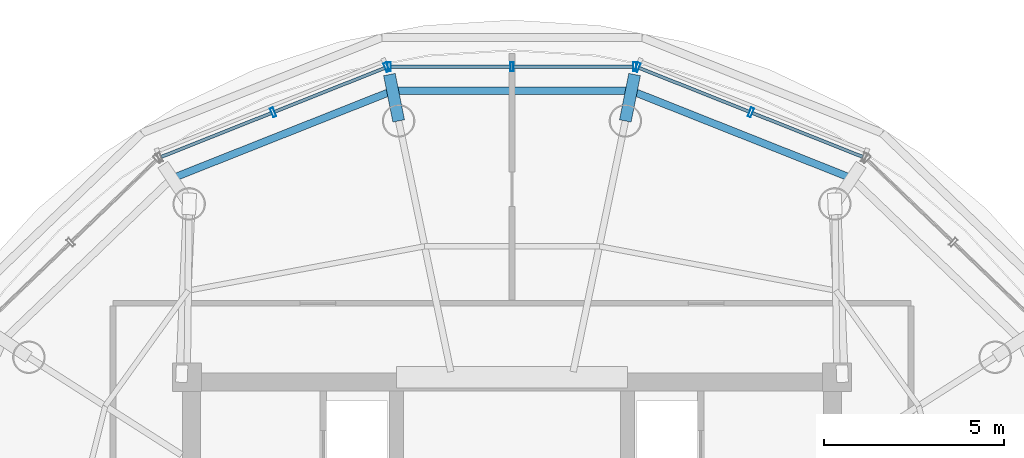
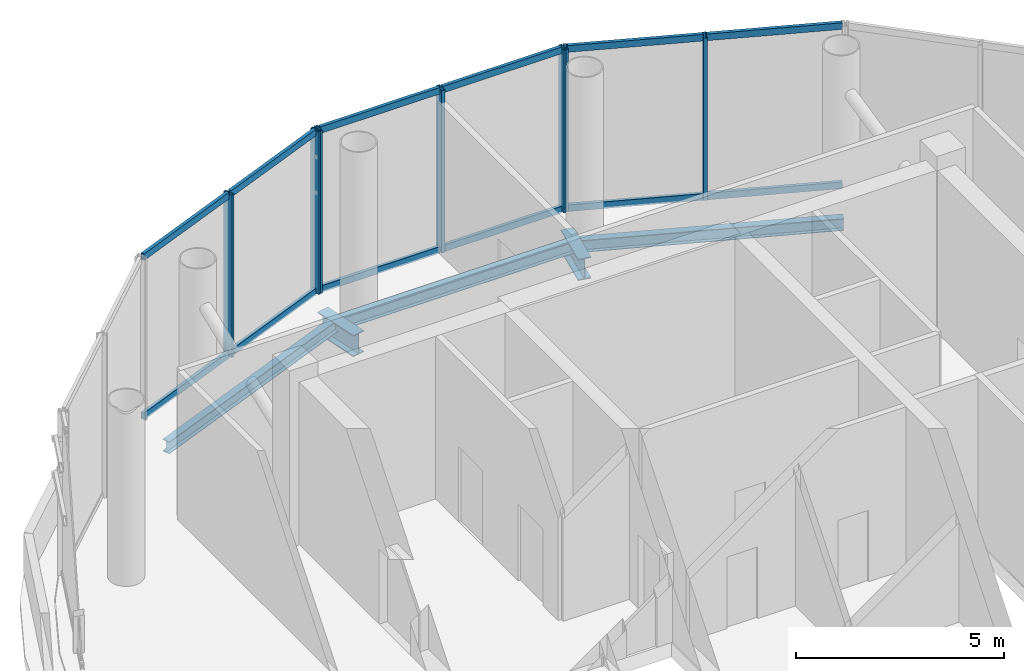
# One storey, part 9 of 15: 19 members, 5 beams, 3 elements without a shape of their own.
"""IFC4 building model written with IfcOpenShell, lengths in metres."""

from ifc_helpers import new_model, si_unit, direction, frame, origin, origin_2d, place, context, subcontext, project, spatial, hollow_rectangle, i_section, extrude, source, transform, mapped, material, material_profile, profile_set, type_object, element, aggregate, save


model = new_model("IFC4")

# Units and contexts
model_context = context("Model", 3, precision=1e-05, world=origin(), true_north=direction((-0.2419218956, 0.970295726276)))
body_context = subcontext(model_context, "Body", "Model", "MODEL_VIEW")
ifc_project = project(units=[si_unit("LENGTHUNIT", "METRE"), si_unit("AREAUNIT", "SQUARE_METRE"), si_unit("VOLUMEUNIT", "CUBIC_METRE"), si_unit("PLANEANGLEUNIT", "RADIAN"), si_unit("MASSUNIT", "GRAM", prefix="KILO")], contexts=[model_context])

# Site, building, storey
site_placement = place(None, origin())
site = spatial("IfcSite", under=ifc_project, at=site_placement, CompositionType="ELEMENT")
building_placement = place(site_placement, origin())
building = spatial("IfcBuilding", under=site, at=building_placement, Name="Cobrevalo Terracotta Tower", CompositionType="ELEMENT")
storey_placement = place(building_placement, frame((0.0, 0.0, 306.10009765625)))
storey = spatial("IfcBuildingStorey", under=building, at=storey_placement, Name="L80", CompositionType="ELEMENT", Elevation=306.10009765625)

# Beams
ifc_material_1 = material(Name="Steel S355", Category="steel")
ifc_material_profile_1 = material_profile(ifc_material_1, i_section(OverallWidth=0.3291015625, OverallDepth=0.635009765625, WebThickness=0.017822265625, FlangeThickness=0.031005859375, at=origin_2d()), Name="W 610x241")
ifc_profile_set_1 = profile_set([ifc_material_profile_1], Name="Steel S355")
beam_type_1 = type_object("IfcBeamType", Name="Structural Beam W 610x241 (Steel S355)", PredefinedType="BEAM", material=ifc_profile_set_1)
for number, where, z_axis, x_axis, name in (
    (1, (41.396484375, 43.18896484375, -0.737548828125), (-0.195112588095, -0.980780851142, 0.0), (0.980780851142, -0.195112588095, 0.0), "L80 setback step-link girder 04"),
    (2, (34.603515625, 43.18896484375, -0.737548828125), (0.195112588095, -0.980780851142, 0.0), (0.980780851142, 0.195112588095, 0.0), "L80 setback step-link girder 05"),
):
    element("IfcBeam", number, at=place(storey_placement, frame(where, z_axis=z_axis, x_axis=x_axis)), inside=storey, type_object=beam_type_1, Name=name, PredefinedType="BEAM", context=body_context, shape_type="SweptSolid", body=[
        extrude(i_section(OverallWidth=0.3291015625, OverallDepth=0.635009765625, WebThickness=0.017822265625, FlangeThickness=0.031005859375, at=origin_2d()), origin(), (0.0, 0.0, 1.0), 1.31005859375),
    ])
ifc_material_profile_2 = material_profile(ifc_material_1, i_section(OverallWidth=0.205078125, OverallDepth=0.35400390625, WebThickness=0.009521484375, FlangeThickness=0.016845703125, at=origin_2d()), Name="W 360x79")
ifc_profile_set_2 = profile_set([ifc_material_profile_2], Name="Steel S355")
beam_type_2 = type_object("IfcBeamType", Name="Structural Spandrel W 360x79 (Steel S355)", PredefinedType="SPANDREL", material=ifc_profile_set_2)
beam_1_placement = place(storey_placement, frame((47.4169921875, 40.311279296875, -0.59716796875), z_axis=(-0.929393272516, 0.369090971173, 0.0), x_axis=(-0.369090971173, -0.929393272516, 0.0)))
element("IfcBeam", 3, at=beam_1_placement, inside=storey, type_object=beam_type_2, Name="L80 perimeter ring spandrel 03", PredefinedType="SPANDREL", context=body_context, shape_type="SweptSolid", body=[
    extrude(i_section(OverallWidth=0.205078125, OverallDepth=0.35400390625, WebThickness=0.009521484375, FlangeThickness=0.016845703125, at=origin_2d()), origin(), (0.0, 0.0, 1.0), 6.57421875),
])
beam_2_placement = place(storey_placement, frame((41.306884765625, 42.73779296875, -0.59716796875), z_axis=(-1.0, 0.0, 0.0), x_axis=(0.0, -1.0, 0.0)))
element("IfcBeam", 4, at=beam_2_placement, inside=storey, type_object=beam_type_2, Name="L80 perimeter ring spandrel 04", PredefinedType="SPANDREL", context=body_context, shape_type="SweptSolid", body=[
    extrude(i_section(OverallWidth=0.205078125, OverallDepth=0.35400390625, WebThickness=0.009521484375, FlangeThickness=0.016845703125, at=origin_2d()), origin(), (0.0, 0.0, 1.0), 6.61376953125),
])
beam_3_placement = place(storey_placement, frame((34.693115234375, 42.73779296875, -0.59716796875), z_axis=(-0.929393272516, -0.369090971173, 0.0), x_axis=(0.369090971173, -0.929393272516, 0.0)))
element("IfcBeam", 5, at=beam_3_placement, inside=storey, type_object=beam_type_2, Name="L80 perimeter ring spandrel 05", PredefinedType="SPANDREL", context=body_context, shape_type="SweptSolid", body=[
    extrude(i_section(OverallWidth=0.205078125, OverallDepth=0.35400390625, WebThickness=0.009521484375, FlangeThickness=0.016845703125, at=origin_2d()), origin(), (0.0, 0.0, 1.0), 6.57421875),
])

# Curtain wall, members
ifc_material_2 = material(Name="Anodized aluminium", Category="aluminium")
curtain_wall_type = type_object("IfcCurtainWallType", Name="Faceted glass-point crown structural glazing system CW-CR", PredefinedType="NOTDEFINED", material=ifc_material_2)
curtain_wall_1_placement = place(storey_placement, origin())
curtain_wall_1 = element("IfcCurtainWall", 6, at=curtain_wall_1_placement, inside=storey, type_object=curtain_wall_type, Name="L80 curtain wall CW-CRN-L80-S03", PredefinedType="NOTDEFINED")
ifc_material_profile_3 = material_profile(ifc_material_2, hollow_rectangle(XDim=0.090087890625, YDim=0.260009765625, WallThickness=0.006103515625, at=origin_2d()), Name="CWM 90x260")
ifc_profile_set_3 = profile_set([ifc_material_profile_3], Name="Anodized aluminium")
member_type_1 = type_object("IfcMemberType", Name="Crown structural glass mullion 90x260", PredefinedType="MULLION", material=ifc_profile_set_3)
shared_shape_1 = source(origin(), body_context, "Body", "SweptSolid", [
    extrude(hollow_rectangle(XDim=0.090087890625, YDim=0.260009765625, WallThickness=0.006103515625, at=origin_2d()), origin(), (0.0, 0.0, 1.0), 4.77978515625),
])
member_1_placement = place(storey_placement, frame((44.6171875, 42.140625, 0.0), z_axis=(0.0, 0.0, 1.0), x_axis=(-0.929190639756, 0.36960080491, 0.0)))
member_1 = element("IfcMember", 7, at=member_1_placement, type_object=member_type_1, Name="CW-CRN-L80-S03 vertical mullion 02", PredefinedType="MULLION", context=body_context, shape_type="MappedRepresentation", body=[
    mapped(shared_shape_1, transform((0.0, 0.0, 0.0), scale=1.0)),
])
member_2_placement = place(storey_placement, frame((41.4765625, 43.389892578125, 0.0), z_axis=(0.0, 0.0, 1.0), x_axis=(-0.929190639756, 0.36960080491, 0.0)))
member_2 = element("IfcMember", 8, at=member_2_placement, type_object=member_type_1, Name="CW-CRN-L80-S03 vertical mullion 03", PredefinedType="MULLION", context=body_context, shape_type="MappedRepresentation", body=[
    mapped(shared_shape_1, transform((0.0, 0.0, 0.0), scale=1.0)),
])

curtain_wall_2_placement = place(storey_placement, origin())
curtain_wall_2 = element("IfcCurtainWall", 9, at=curtain_wall_2_placement, inside=storey, type_object=curtain_wall_type, Name="L80 curtain wall CW-CRN-L80-S04", PredefinedType="NOTDEFINED")
member_3_placement = place(storey_placement, frame((41.3994140625, 43.40478515625, 0.0), z_axis=(0.0, 0.0, 1.0), x_axis=(-1.0, 0.0, 0.0)))
member_3 = element("IfcMember", 10, at=member_3_placement, type_object=member_type_1, Name="CW-CRN-L80-S04 vertical mullion 01", PredefinedType="MULLION", context=body_context, shape_type="MappedRepresentation", body=[
    mapped(shared_shape_1, transform((0.0, 0.0, 0.0), scale=1.0)),
])
member_4_placement = place(storey_placement, frame((38.0, 43.40478515625, 0.0), z_axis=(0.0, 0.0, 1.0), x_axis=(-1.0, 0.0, 0.0)))
member_4 = element("IfcMember", 11, at=member_4_placement, type_object=member_type_1, Name="CW-CRN-L80-S04 vertical mullion 02", PredefinedType="MULLION", context=body_context, shape_type="MappedRepresentation", body=[
    mapped(shared_shape_1, transform((0.0, 0.0, 0.0), scale=1.0)),
])
member_5_placement = place(storey_placement, frame((34.6005859375, 43.40478515625, 0.0), z_axis=(0.0, 0.0, 1.0), x_axis=(-1.0, 0.0, 0.0)))
member_5 = element("IfcMember", 12, at=member_5_placement, type_object=member_type_1, Name="CW-CRN-L80-S04 vertical mullion 03", PredefinedType="MULLION", context=body_context, shape_type="MappedRepresentation", body=[
    mapped(shared_shape_1, transform((0.0, 0.0, 0.0), scale=1.0)),
])

curtain_wall_3_placement = place(storey_placement, origin())
curtain_wall_3 = element("IfcCurtainWall", 13, at=curtain_wall_3_placement, inside=storey, type_object=curtain_wall_type, Name="L80 curtain wall CW-CRN-L80-S05", PredefinedType="NOTDEFINED")
member_6_placement = place(storey_placement, frame((34.5234375, 43.389892578125, 0.0), z_axis=(0.0, 0.0, 1.0), x_axis=(-0.929190639756, -0.36960080491, 0.0)))
member_6 = element("IfcMember", 14, at=member_6_placement, type_object=member_type_1, Name="CW-CRN-L80-S05 vertical mullion 01", PredefinedType="MULLION", context=body_context, shape_type="MappedRepresentation", body=[
    mapped(shared_shape_1, transform((0.0, 0.0, 0.0), scale=1.0)),
])
member_7_placement = place(storey_placement, frame((31.3828125, 42.140625, 0.0), z_axis=(0.0, 0.0, 1.0), x_axis=(-0.929190639756, -0.36960080491, 0.0)))
member_7 = element("IfcMember", 15, at=member_7_placement, type_object=member_type_1, Name="CW-CRN-L80-S05 vertical mullion 02", PredefinedType="MULLION", context=body_context, shape_type="MappedRepresentation", body=[
    mapped(shared_shape_1, transform((0.0, 0.0, 0.0), scale=1.0)),
])

# Member
ifc_material_profile_4 = material_profile(ifc_material_2, hollow_rectangle(XDim=0.090087890625, YDim=0.195068359375, WallThickness=0.005615234375, at=origin_2d()), Name="CWT 90x195")
ifc_profile_set_4 = profile_set([ifc_material_profile_4], Name="Anodized aluminium")
member_type_2 = type_object("IfcMemberType", Name="Crown structural aluminium transom 90x195", PredefinedType="USERDEFINED", material=ifc_profile_set_4)
shared_shape_2 = source(origin(), body_context, "Body", "SweptSolid", [
    extrude(hollow_rectangle(XDim=0.090087890625, YDim=0.195068359375, WallThickness=0.005615234375, at=origin_2d()), origin(), (0.0, 0.0, 1.0), 3.2998046875),
])
member_8_placement = place(storey_placement, frame((47.720458984375, 40.90625, 0.0498046875), z_axis=(-0.92917915641, 0.369629673177, 0.0), x_axis=(-0.369629673177, -0.92917915641, 0.0)))
member_8 = element("IfcMember", 16, at=member_8_placement, type_object=member_type_2, Name="CW-CRN-L80-S03 transom B01-T1", ObjectType="TRANSOM", PredefinedType="USERDEFINED", context=body_context, shape_type="MappedRepresentation", body=[
    mapped(shared_shape_2, transform((0.0, 0.0, 0.0), scale=1.0)),
])

member_9_placement = place(storey_placement, frame((47.720458984375, 40.90625, 4.72998046875), z_axis=(-0.92917915641, 0.369629673177, 0.0), x_axis=(-0.369629673177, -0.92917915641, 0.0)))
member_9 = element("IfcMember", 17, at=member_9_placement, type_object=member_type_2, Name="CW-CRN-L80-S03 transom B01-T2", ObjectType="TRANSOM", PredefinedType="USERDEFINED", context=body_context, shape_type="MappedRepresentation", body=[
    mapped(shared_shape_2, transform((0.0, 0.0, 0.0), scale=1.0)),
])

member_10_placement = place(storey_placement, frame((44.579833984375, 42.155517578125, 0.0498046875), z_axis=(-0.92917915641, 0.369629673177, 0.0), x_axis=(-0.369629673177, -0.92917915641, 0.0)))
member_10 = element("IfcMember", 18, at=member_10_placement, type_object=member_type_2, Name="CW-CRN-L80-S03 transom B02-T1", ObjectType="TRANSOM", PredefinedType="USERDEFINED", context=body_context, shape_type="MappedRepresentation", body=[
    mapped(shared_shape_2, transform((0.0, 0.0, 0.0), scale=1.0)),
])

member_11_placement = place(storey_placement, frame((44.579833984375, 42.155517578125, 4.72998046875), z_axis=(-0.92917915641, 0.369629673177, 0.0), x_axis=(-0.369629673177, -0.92917915641, 0.0)))
member_11 = element("IfcMember", 19, at=member_11_placement, type_object=member_type_2, Name="CW-CRN-L80-S03 transom B02-T2", ObjectType="TRANSOM", PredefinedType="USERDEFINED", context=body_context, shape_type="MappedRepresentation", body=[
    mapped(shared_shape_2, transform((0.0, 0.0, 0.0), scale=1.0)),
])

aggregate(curtain_wall_1, [member_1, member_2, member_8, member_9, member_10, member_11])

member_12_placement = place(storey_placement, frame((34.486328125, 43.375244140625, 0.0498046875), z_axis=(-0.92917915641, -0.369629673177, 0.0), x_axis=(0.369629673177, -0.92917915641, 0.0)))
member_12 = element("IfcMember", 20, at=member_12_placement, type_object=member_type_2, Name="CW-CRN-L80-S05 transom B01-T1", ObjectType="TRANSOM", PredefinedType="USERDEFINED", context=body_context, shape_type="MappedRepresentation", body=[
    mapped(shared_shape_2, transform((0.0, 0.0, 0.0), scale=1.0)),
])

member_13_placement = place(storey_placement, frame((34.486328125, 43.375244140625, 4.72998046875), z_axis=(-0.92917915641, -0.369629673177, 0.0), x_axis=(0.369629673177, -0.92917915641, 0.0)))
member_13 = element("IfcMember", 21, at=member_13_placement, type_object=member_type_2, Name="CW-CRN-L80-S05 transom B01-T2", ObjectType="TRANSOM", PredefinedType="USERDEFINED", context=body_context, shape_type="MappedRepresentation", body=[
    mapped(shared_shape_2, transform((0.0, 0.0, 0.0), scale=1.0)),
])

member_14_placement = place(storey_placement, frame((31.345703125, 42.1259765625, 0.0498046875), z_axis=(-0.92917915641, -0.369629673177, 0.0), x_axis=(0.369629673177, -0.92917915641, 0.0)))
member_14 = element("IfcMember", 22, at=member_14_placement, type_object=member_type_2, Name="CW-CRN-L80-S05 transom B02-T1", ObjectType="TRANSOM", PredefinedType="USERDEFINED", context=body_context, shape_type="MappedRepresentation", body=[
    mapped(shared_shape_2, transform((0.0, 0.0, 0.0), scale=1.0)),
])

member_15_placement = place(storey_placement, frame((31.345703125, 42.1259765625, 4.72998046875), z_axis=(-0.92917915641, -0.369629673177, 0.0), x_axis=(0.369629673177, -0.92917915641, 0.0)))
member_15 = element("IfcMember", 23, at=member_15_placement, type_object=member_type_2, Name="CW-CRN-L80-S05 transom B02-T2", ObjectType="TRANSOM", PredefinedType="USERDEFINED", context=body_context, shape_type="MappedRepresentation", body=[
    mapped(shared_shape_2, transform((0.0, 0.0, 0.0), scale=1.0)),
])

aggregate(curtain_wall_3, [member_6, member_7, member_12, member_13, member_14, member_15])

shared_shape_3 = source(origin(), body_context, "Body", "SweptSolid", [
    extrude(hollow_rectangle(XDim=0.090087890625, YDim=0.195068359375, WallThickness=0.005615234375, at=origin_2d()), origin(), (0.0, 0.0, 1.0), 3.3193359375),
])
member_16_placement = place(storey_placement, frame((41.359375, 43.40478515625, 0.0498046875), z_axis=(-1.0, 0.0, 0.0), x_axis=(0.0, -1.0, 0.0)))
member_16 = element("IfcMember", 24, at=member_16_placement, type_object=member_type_2, Name="CW-CRN-L80-S04 transom B01-T1", ObjectType="TRANSOM", PredefinedType="USERDEFINED", context=body_context, shape_type="MappedRepresentation", body=[
    mapped(shared_shape_3, transform((0.0, 0.0, 0.0), scale=1.0)),
])

member_17_placement = place(storey_placement, frame((41.359375, 43.40478515625, 4.72998046875), z_axis=(-1.0, 0.0, 0.0), x_axis=(0.0, -1.0, 0.0)))
member_17 = element("IfcMember", 25, at=member_17_placement, type_object=member_type_2, Name="CW-CRN-L80-S04 transom B01-T2", ObjectType="TRANSOM", PredefinedType="USERDEFINED", context=body_context, shape_type="MappedRepresentation", body=[
    mapped(shared_shape_3, transform((0.0, 0.0, 0.0), scale=1.0)),
])

member_18_placement = place(storey_placement, frame((37.9599609375, 43.40478515625, 0.0498046875), z_axis=(-1.0, 0.0, 0.0), x_axis=(0.0, -1.0, 0.0)))
member_18 = element("IfcMember", 26, at=member_18_placement, type_object=member_type_2, Name="CW-CRN-L80-S04 transom B02-T1", ObjectType="TRANSOM", PredefinedType="USERDEFINED", context=body_context, shape_type="MappedRepresentation", body=[
    mapped(shared_shape_3, transform((0.0, 0.0, 0.0), scale=1.0)),
])

member_19_placement = place(storey_placement, frame((37.9599609375, 43.40478515625, 4.72998046875), z_axis=(-1.0, 0.0, 0.0), x_axis=(0.0, -1.0, 0.0)))
member_19 = element("IfcMember", 27, at=member_19_placement, type_object=member_type_2, Name="CW-CRN-L80-S04 transom B02-T2", ObjectType="TRANSOM", PredefinedType="USERDEFINED", context=body_context, shape_type="MappedRepresentation", body=[
    mapped(shared_shape_3, transform((0.0, 0.0, 0.0), scale=1.0)),
])

aggregate(curtain_wall_2, [member_3, member_4, member_5, member_16, member_17, member_18, member_19])

save(model, "model.ifc")
